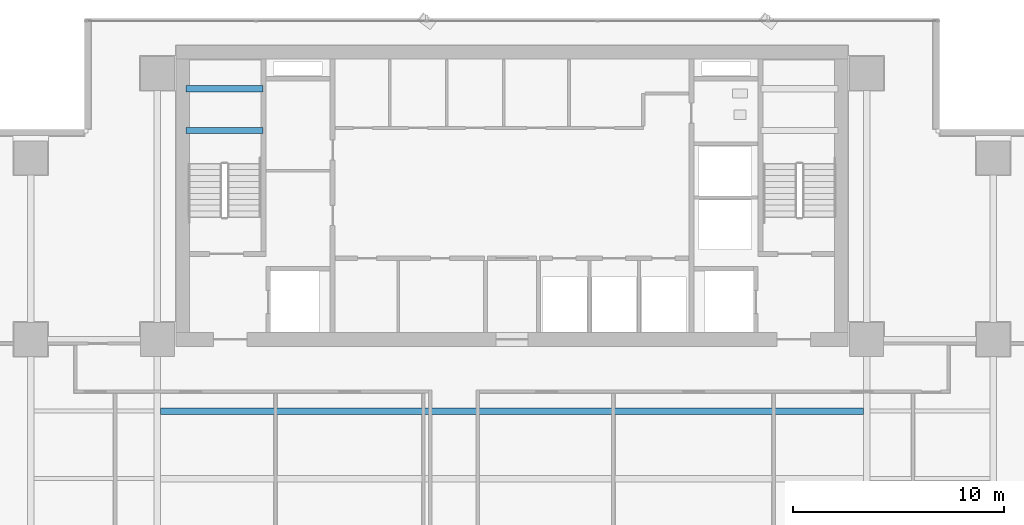
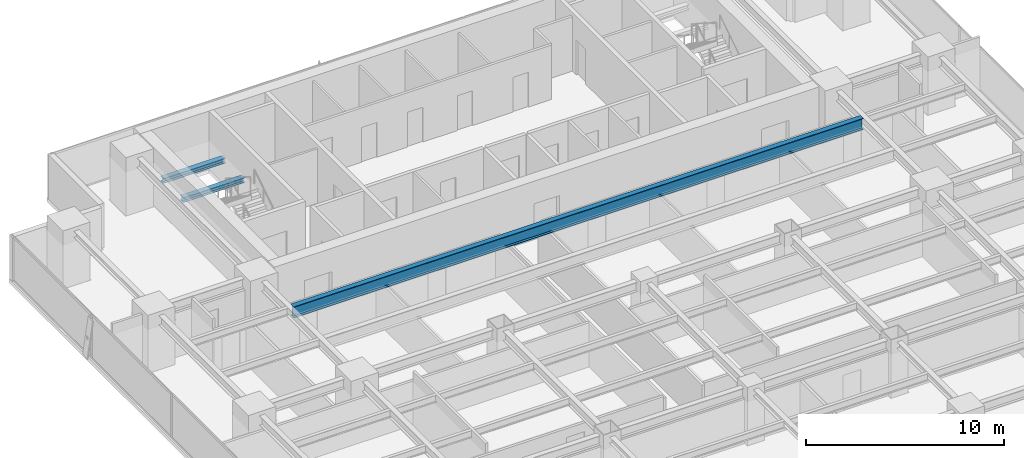
# One storey, part 19 of 36: 3 beams.
"""IFC4 building model written with IfcOpenShell, lengths in metres."""

from ifc_helpers import new_model, si_unit, direction, frame, origin, origin_2d, place, context, subcontext, project, spatial, i_section, extrude, source, transform, mapped, material, material_profile, profile_set, type_object, element, save


model = new_model("IFC4")

# Units and contexts
model_context = context("Model", 3, precision=1e-05, world=origin(), true_north=direction((0.0, 1.0)))
body_context = subcontext(model_context, "Body", "Model", "MODEL_VIEW")
ifc_project = project(units=[si_unit("LENGTHUNIT", "METRE"), si_unit("AREAUNIT", "SQUARE_METRE"), si_unit("VOLUMEUNIT", "CUBIC_METRE"), si_unit("PLANEANGLEUNIT", "RADIAN"), si_unit("MASSUNIT", "GRAM", prefix="KILO")], contexts=[model_context])

# Site, building, storey
site_placement = place(None, origin())
site = spatial("IfcSite", under=ifc_project, at=site_placement, CompositionType="ELEMENT")
building_placement = place(site_placement, origin())
building = spatial("IfcBuilding", under=site, at=building_placement, Name="Sumidabori Civic Tower", CompositionType="ELEMENT")
storey_placement = place(building_placement, frame((0.0, 0.0, 92.0)))
storey = spatial("IfcBuildingStorey", under=building, at=storey_placement, Name="L23", CompositionType="ELEMENT", Elevation=92.0)

# Beams
ifc_material = material(Name="Steel SN490", Category="steel")
ifc_material_profile_1 = material_profile(ifc_material, i_section(OverallWidth=0.300048828125, OverallDepth=0.300048828125, WebThickness=0.010986328125, FlangeThickness=0.01904296875, at=origin_2d()), Name="HE 300 B")
ifc_profile_set_1 = profile_set([ifc_material_profile_1], Name="Steel SN490")
beam_type_1 = type_object("IfcBeamType", Name="BM-LDG-300", PredefinedType="BEAM", material=ifc_profile_set_1)
shared_shape_1 = source(origin(), body_context, "Body", "SweptSolid", [
    extrude(i_section(OverallWidth=0.300048828125, OverallDepth=0.300048828125, WebThickness=0.010986328125, FlangeThickness=0.01904296875, at=origin_2d()), origin(), (0.0, 0.0, 1.0), 3.64990234375),
])
for number, where, z_axis, x_axis, name in (
    (1, (-15.449951171875, 20.09765625, 1.449951171875), (1.0, 0.0, 0.0), (0.0, 1.0, 0.0), "Stair ST-1 Landing Support Beam L23-1A"),
    (2, (-15.449951171875, 22.069580078125, 1.449951171875), (1.0, 0.0, 0.0), (0.0, 1.0, 0.0), "Stair ST-1 Landing Trimmer Beam L23-1B"),
):
    element("IfcBeam", number, at=place(storey_placement, frame(where, z_axis=z_axis, x_axis=x_axis)), inside=storey, type_object=beam_type_1, Name=name, PredefinedType="BEAM", context=body_context, shape_type="MappedRepresentation", body=[
        mapped(shared_shape_1, transform((0.0, 0.0, 0.0), x_axis=(1.0, 0.0, 0.0), y_axis=(0.0, 1.0, 0.0), z_axis=(0.0, 0.0, 1.0), scale=1.0)),
    ])
ifc_material_profile_2 = material_profile(ifc_material, i_section(OverallWidth=0.300048828125, OverallDepth=0.699951171875, WebThickness=0.01708984375, FlangeThickness=0.031982421875, at=origin_2d()), Name="HE 700 B")
ifc_profile_set_2 = profile_set([ifc_material_profile_2], Name="Steel SN490")
beam_type_2 = type_object("IfcBeamType", Name="BM-GIRD-700", PredefinedType="BEAM", material=ifc_profile_set_2)
shared_shape_2 = source(origin(), body_context, "Body", "SweptSolid", [
    extrude(i_section(OverallWidth=0.300048828125, OverallDepth=0.699951171875, WebThickness=0.01708984375, FlangeThickness=0.031982421875, at=origin_2d()), origin(), (0.0, 0.0, 1.0), 33.2998046875),
])
beam_placement = place(storey_placement, frame((-16.64990234375, 6.800048828125, 3.010009765625), z_axis=(1.0, 0.0, 0.0), x_axis=(0.0, 1.0, 0.0)))
element("IfcBeam", 3, at=beam_placement, inside=storey, type_object=beam_type_2, Name="North Bay Floor Beam L23 JSTN-54", PredefinedType="BEAM", context=body_context, shape_type="MappedRepresentation", body=[
    mapped(shared_shape_2, transform((0.0, 0.0, 0.0), x_axis=(1.0, 0.0, 0.0), y_axis=(0.0, 1.0, 0.0), z_axis=(0.0, 0.0, 1.0), scale=1.0)),
])

save(model, "model.ifc")
